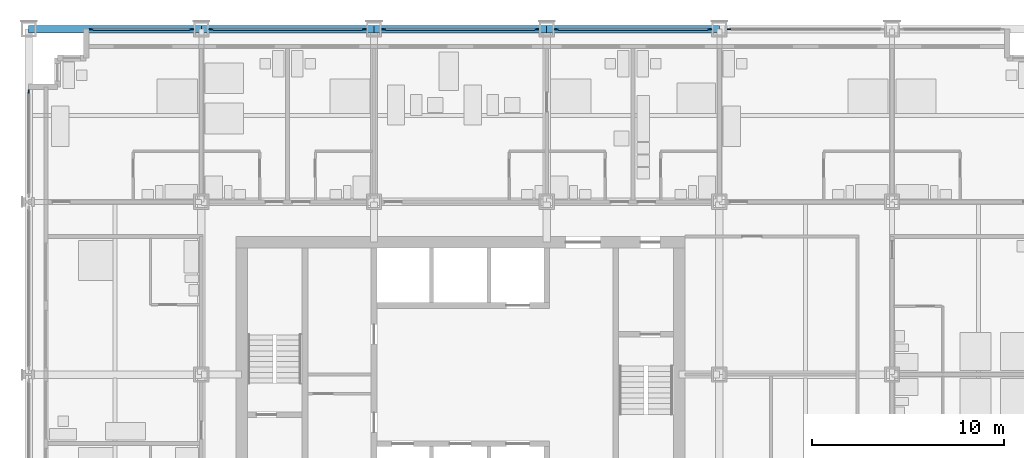
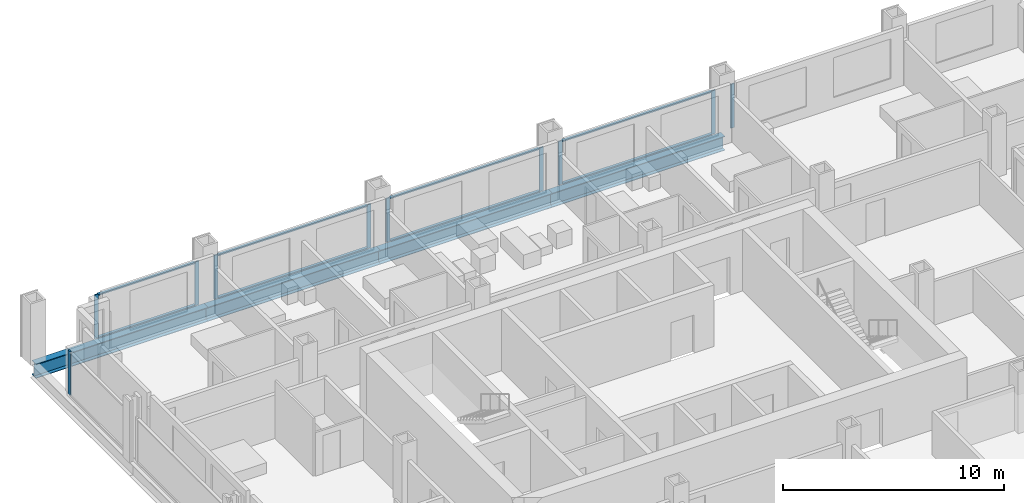
# One storey, part 7 of 18: 18 members, 4 beams, 6 elements without a shape of their own.
"""IFC4 building model written with IfcOpenShell, lengths in metres."""

from ifc_helpers import new_model, si_unit, direction, frame, origin, origin_2d, place, context, subcontext, project, spatial, rectangle, i_section, extrude, material, material_profile, profile_set, type_object, element, aggregate, save


model = new_model("IFC4")

# Units and contexts
model_context = context("Model", 3, precision=1e-05, world=origin(), true_north=direction((0.0, 1.0)))
body_context = subcontext(model_context, "Body", "Model", "MODEL_VIEW")
ifc_project = project(units=[si_unit("LENGTHUNIT", "METRE"), si_unit("AREAUNIT", "SQUARE_METRE"), si_unit("VOLUMEUNIT", "CUBIC_METRE"), si_unit("PLANEANGLEUNIT", "RADIAN"), si_unit("MASSUNIT", "GRAM", prefix="KILO")], contexts=[model_context])

# Site, building, storey
site_placement = place(None, origin())
site = spatial("IfcSite", under=ifc_project, at=site_placement, CompositionType="ELEMENT")
building_placement = place(site_placement, origin())
building = spatial("IfcBuilding", under=site, at=building_placement, Name="Loomwork Tower", CompositionType="ELEMENT")
storey_placement = place(building_placement, frame((0.0, 0.0, 31.39990234375)))
storey = spatial("IfcBuildingStorey", under=building, at=storey_placement, Name="L06", CompositionType="ELEMENT", Elevation=31.39990234375)

# Curtain wall, members
ifc_material_1 = material(Name="Aluminium curtain wall frame", Category="aluminium")
curtain_wall_type = type_object("IfcCurtainWallType", Name="Outer skin glazing hotel", PredefinedType="NOTDEFINED", material=ifc_material_1)
curtain_wall_1_placement = place(storey_placement, origin())
curtain_wall_1 = element("IfcCurtainWall", 1, at=curtain_wall_1_placement, inside=storey, type_object=curtain_wall_type, Name="Outer skin glazing hotel cw/N-0", PredefinedType="NOTDEFINED")
ifc_material_2 = material(Name="Aluminium curtain wall frame", Category="aluminium")
ifc_material_profile_1 = material_profile(ifc_material_2, rectangle(XDim=0.06494140625, YDim=0.199951171875, at=origin_2d()), Name="AL 65x200")
ifc_profile_set_1 = profile_set([ifc_material_profile_1], Name="Aluminium curtain wall frame")
member_type_1 = type_object("IfcMemberType", Name="Outer skin glazing hotel mullion", PredefinedType="MULLION", material=ifc_profile_set_1)
member_1_placement = place(storey_placement, frame((8.5, 36.0, 0.0), z_axis=(0.0, 0.0, 1.0), x_axis=(0.0, -1.0, 0.0)))
member_1 = element("IfcMember", 2, at=member_1_placement, type_object=member_type_1, Name="CW1 mullion 1", PredefinedType="MULLION", context=body_context, shape_type="SweptSolid", body=[
    extrude(rectangle(XDim=0.06494140625, YDim=0.199951171875, at=origin_2d()), origin(), (0.0, 0.0, 1.0), 2.42041015625),
])
member_2_placement = place(storey_placement, frame((3.25, 36.0, 0.0), z_axis=(0.0, 0.0, 1.0), x_axis=(0.0, -1.0, 0.0)))
member_2 = element("IfcMember", 3, at=member_2_placement, type_object=member_type_1, Name="CW1 mullion 2", PredefinedType="MULLION", context=body_context, shape_type="SweptSolid", body=[
    extrude(rectangle(XDim=0.06494140625, YDim=0.199951171875, at=origin_2d()), origin(), (0.0, 0.0, 1.0), 2.42041015625),
])

curtain_wall_2_placement = place(storey_placement, origin())
curtain_wall_2 = element("IfcCurtainWall", 4, at=curtain_wall_2_placement, inside=storey, type_object=curtain_wall_type, Name="Outer skin glazing hotel cw/N-9", PredefinedType="NOTDEFINED")
member_3_placement = place(storey_placement, frame((17.5, 36.0, 0.0), z_axis=(0.0, 0.0, 1.0), x_axis=(0.0, -1.0, 0.0)))
member_3 = element("IfcMember", 5, at=member_3_placement, type_object=member_type_1, Name="CW1 mullion 1", PredefinedType="MULLION", context=body_context, shape_type="SweptSolid", body=[
    extrude(rectangle(XDim=0.06494140625, YDim=0.199951171875, at=origin_2d()), origin(), (0.0, 0.0, 1.0), 2.42041015625),
])
member_4_placement = place(storey_placement, frame((9.5, 36.0, 0.0), z_axis=(0.0, 0.0, 1.0), x_axis=(0.0, -1.0, 0.0)))
member_4 = element("IfcMember", 6, at=member_4_placement, type_object=member_type_1, Name="CW1 mullion 2", PredefinedType="MULLION", context=body_context, shape_type="SweptSolid", body=[
    extrude(rectangle(XDim=0.06494140625, YDim=0.199951171875, at=origin_2d()), origin(), (0.0, 0.0, 1.0), 2.42041015625),
])

curtain_wall_3_placement = place(storey_placement, origin())
curtain_wall_3 = element("IfcCurtainWall", 7, at=curtain_wall_3_placement, inside=storey, type_object=curtain_wall_type, Name="Outer skin glazing hotel cw/N-18", PredefinedType="NOTDEFINED")
member_5_placement = place(storey_placement, frame((26.5, 36.0, 0.0), z_axis=(0.0, 0.0, 1.0), x_axis=(0.0, -1.0, 0.0)))
member_5 = element("IfcMember", 8, at=member_5_placement, type_object=member_type_1, Name="CW1 mullion 1", PredefinedType="MULLION", context=body_context, shape_type="SweptSolid", body=[
    extrude(rectangle(XDim=0.06494140625, YDim=0.199951171875, at=origin_2d()), origin(), (0.0, 0.0, 1.0), 2.42041015625),
])
member_6_placement = place(storey_placement, frame((18.5, 36.0, 0.0), z_axis=(0.0, 0.0, 1.0), x_axis=(0.0, -1.0, 0.0)))
member_6 = element("IfcMember", 9, at=member_6_placement, type_object=member_type_1, Name="CW1 mullion 2", PredefinedType="MULLION", context=body_context, shape_type="SweptSolid", body=[
    extrude(rectangle(XDim=0.06494140625, YDim=0.199951171875, at=origin_2d()), origin(), (0.0, 0.0, 1.0), 2.42041015625),
])

curtain_wall_4_placement = place(storey_placement, origin())
curtain_wall_4 = element("IfcCurtainWall", 10, at=curtain_wall_4_placement, inside=storey, type_object=curtain_wall_type, Name="Outer skin glazing hotel cw/N-27", PredefinedType="NOTDEFINED")
member_7_placement = place(storey_placement, frame((35.5, 36.0, 0.0), z_axis=(0.0, 0.0, 1.0), x_axis=(0.0, -1.0, 0.0)))
member_7 = element("IfcMember", 11, at=member_7_placement, type_object=member_type_1, Name="CW1 mullion 1", PredefinedType="MULLION", context=body_context, shape_type="SweptSolid", body=[
    extrude(rectangle(XDim=0.06494140625, YDim=0.199951171875, at=origin_2d()), origin(), (0.0, 0.0, 1.0), 2.42041015625),
])
member_8_placement = place(storey_placement, frame((27.5, 36.0, 0.0), z_axis=(0.0, 0.0, 1.0), x_axis=(0.0, -1.0, 0.0)))
member_8 = element("IfcMember", 12, at=member_8_placement, type_object=member_type_1, Name="CW1 mullion 2", PredefinedType="MULLION", context=body_context, shape_type="SweptSolid", body=[
    extrude(rectangle(XDim=0.06494140625, YDim=0.199951171875, at=origin_2d()), origin(), (0.0, 0.0, 1.0), 2.42041015625),
])

# Curtain wall, member
curtain_wall_5_placement = place(storey_placement, origin())
curtain_wall_5 = element("IfcCurtainWall", 13, at=curtain_wall_5_placement, inside=storey, type_object=curtain_wall_type, Name="Outer skin glazing hotel cw/N-36", PredefinedType="NOTDEFINED")
member_9_placement = place(storey_placement, frame((36.5, 36.0, 0.0), z_axis=(0.0, 0.0, 1.0), x_axis=(0.0, -1.0, 0.0)))
member_9 = element("IfcMember", 14, at=member_9_placement, type_object=member_type_1, Name="CW1 mullion 2", PredefinedType="MULLION", context=body_context, shape_type="SweptSolid", body=[
    extrude(rectangle(XDim=0.06494140625, YDim=0.199951171875, at=origin_2d()), origin(), (0.0, 0.0, 1.0), 2.42041015625),
])
aggregate(curtain_wall_5, [member_9])

curtain_wall_6_placement = place(storey_placement, origin())
curtain_wall_6 = element("IfcCurtainWall", 15, at=curtain_wall_6_placement, inside=storey, type_object=curtain_wall_type, Name="Outer skin glazing hotel cw/W-27", PredefinedType="NOTDEFINED")
member_10_placement = place(storey_placement, frame((0.0, 32.75, 0.0), z_axis=(0.0, 0.0, 1.0), x_axis=(1.0, 0.0, 0.0)))
member_10 = element("IfcMember", 16, at=member_10_placement, type_object=member_type_1, Name="CW1 mullion 1", PredefinedType="MULLION", context=body_context, shape_type="SweptSolid", body=[
    extrude(rectangle(XDim=0.06494140625, YDim=0.199951171875, at=origin_2d()), origin(), (0.0, 0.0, 1.0), 2.42041015625),
])
aggregate(curtain_wall_6, [member_10])

# Member
ifc_material_3 = material(Name="Aluminium curtain wall frame", Category="aluminium")
ifc_material_profile_2 = material_profile(ifc_material_3, rectangle(XDim=0.14990234375, YDim=0.06494140625, at=origin_2d()), Name="AL 65x150")
ifc_profile_set_2 = profile_set([ifc_material_profile_2], Name="Aluminium curtain wall frame")
member_type_2 = type_object("IfcMemberType", Name="Outer skin glazing hotel transom", PredefinedType="USERDEFINED", material=ifc_profile_set_2)
member_11_placement = place(storey_placement, frame((8.39990234375, 36.0, 0.03271484375), z_axis=(-1.0, 0.0, 0.0), x_axis=(0.0, -1.0, 0.0)))
member_11 = element("IfcMember", 17, at=member_11_placement, type_object=member_type_2, Name="CW1 transom 1.1", ObjectType="TRANSOM", PredefinedType="USERDEFINED", context=body_context, shape_type="SweptSolid", body=[
    extrude(rectangle(XDim=0.14990234375, YDim=0.06494140625, at=origin_2d()), origin(), (0.0, 0.0, 1.0), 5.0498046875),
])

member_12_placement = place(storey_placement, frame((8.39990234375, 36.0, 2.3876953125), z_axis=(-1.0, 0.0, 0.0), x_axis=(0.0, -1.0, 0.0)))
member_12 = element("IfcMember", 18, at=member_12_placement, type_object=member_type_2, Name="CW1 transom 1.2", ObjectType="TRANSOM", PredefinedType="USERDEFINED", context=body_context, shape_type="SweptSolid", body=[
    extrude(rectangle(XDim=0.14990234375, YDim=0.06494140625, at=origin_2d()), origin(), (0.0, 0.0, 1.0), 5.0498046875),
])

aggregate(curtain_wall_1, [member_1, member_2, member_11, member_12])

member_13_placement = place(storey_placement, frame((17.39990234375, 36.0, 0.03271484375), z_axis=(-1.0, 0.0, 0.0), x_axis=(0.0, -1.0, 0.0)))
member_13 = element("IfcMember", 19, at=member_13_placement, type_object=member_type_2, Name="CW1 transom 1.1", ObjectType="TRANSOM", PredefinedType="USERDEFINED", context=body_context, shape_type="SweptSolid", body=[
    extrude(rectangle(XDim=0.14990234375, YDim=0.06494140625, at=origin_2d()), origin(), (0.0, 0.0, 1.0), 7.7998046875),
])

member_14_placement = place(storey_placement, frame((17.39990234375, 36.0, 2.3876953125), z_axis=(-1.0, 0.0, 0.0), x_axis=(0.0, -1.0, 0.0)))
member_14 = element("IfcMember", 20, at=member_14_placement, type_object=member_type_2, Name="CW1 transom 1.2", ObjectType="TRANSOM", PredefinedType="USERDEFINED", context=body_context, shape_type="SweptSolid", body=[
    extrude(rectangle(XDim=0.14990234375, YDim=0.06494140625, at=origin_2d()), origin(), (0.0, 0.0, 1.0), 7.7998046875),
])

aggregate(curtain_wall_2, [member_3, member_4, member_13, member_14])

member_15_placement = place(storey_placement, frame((26.39990234375, 36.0, 0.03271484375), z_axis=(-1.0, 0.0, 0.0), x_axis=(0.0, -1.0, 0.0)))
member_15 = element("IfcMember", 21, at=member_15_placement, type_object=member_type_2, Name="CW1 transom 1.1", ObjectType="TRANSOM", PredefinedType="USERDEFINED", context=body_context, shape_type="SweptSolid", body=[
    extrude(rectangle(XDim=0.14990234375, YDim=0.06494140625, at=origin_2d()), origin(), (0.0, 0.0, 1.0), 7.7998046875),
])

member_16_placement = place(storey_placement, frame((26.39990234375, 36.0, 2.3876953125), z_axis=(-1.0, 0.0, 0.0), x_axis=(0.0, -1.0, 0.0)))
member_16 = element("IfcMember", 22, at=member_16_placement, type_object=member_type_2, Name="CW1 transom 1.2", ObjectType="TRANSOM", PredefinedType="USERDEFINED", context=body_context, shape_type="SweptSolid", body=[
    extrude(rectangle(XDim=0.14990234375, YDim=0.06494140625, at=origin_2d()), origin(), (0.0, 0.0, 1.0), 7.7998046875),
])

aggregate(curtain_wall_3, [member_5, member_6, member_15, member_16])

member_17_placement = place(storey_placement, frame((35.39990234375, 36.0, 0.03271484375), z_axis=(-1.0, 0.0, 0.0), x_axis=(0.0, -1.0, 0.0)))
member_17 = element("IfcMember", 23, at=member_17_placement, type_object=member_type_2, Name="CW1 transom 1.1", ObjectType="TRANSOM", PredefinedType="USERDEFINED", context=body_context, shape_type="SweptSolid", body=[
    extrude(rectangle(XDim=0.14990234375, YDim=0.06494140625, at=origin_2d()), origin(), (0.0, 0.0, 1.0), 7.7998046875),
])

member_18_placement = place(storey_placement, frame((35.39990234375, 36.0, 2.3876953125), z_axis=(-1.0, 0.0, 0.0), x_axis=(0.0, -1.0, 0.0)))
member_18 = element("IfcMember", 24, at=member_18_placement, type_object=member_type_2, Name="CW1 transom 1.2", ObjectType="TRANSOM", PredefinedType="USERDEFINED", context=body_context, shape_type="SweptSolid", body=[
    extrude(rectangle(XDim=0.14990234375, YDim=0.06494140625, at=origin_2d()), origin(), (0.0, 0.0, 1.0), 7.7998046875),
])

aggregate(curtain_wall_4, [member_7, member_8, member_17, member_18])

# Beams
ifc_material_4 = material(Name="Steel ASTM A992", Category="steel")
ifc_material_profile_3 = material_profile(ifc_material_4, i_section(OverallWidth=0.381103515625, OverallDepth=0.77978515625, WebThickness=0.01806640625, FlangeThickness=0.0302734375, at=origin_2d()), Name="W30x191")
ifc_profile_set_3 = profile_set([ifc_material_profile_3], Name="Steel ASTM A992")
beam_type = type_object("IfcBeamType", Name="SPANDREL GIRDER W30x191", PredefinedType="SPANDREL", material=ifc_profile_set_3)
for number, where, z_axis, x_axis, name in (
    (25, (0.0, 36.0, -0.58984375), (1.0, 0.0, 0.0), (0.0, 1.0, 0.0), "Spandrel Girder H/2-H/3 L06"),
    (26, (9.0, 36.0, -0.58984375), (1.0, 0.0, 0.0), (0.0, 1.0, 0.0), "Spandrel Girder H/3-H/4 L06"),
    (27, (18.0, 36.0, -0.58984375), (1.0, 0.0, 0.0), (0.0, 1.0, 0.0), "Spandrel Girder H/4-H/5 L06"),
    (28, (27.0, 36.0, -0.58984375), (1.0, 0.0, 0.0), (0.0, 1.0, 0.0), "Spandrel Girder H/5-H/6 L06"),
):
    element("IfcBeam", number, at=place(storey_placement, frame(where, z_axis=z_axis, x_axis=x_axis)), inside=storey, type_object=beam_type, Name=name, PredefinedType="SPANDREL", context=body_context, shape_type="SweptSolid", body=[
        extrude(i_section(OverallWidth=0.381103515625, OverallDepth=0.77978515625, WebThickness=0.01806640625, FlangeThickness=0.0302734375, at=origin_2d()), origin(), (0.0, 0.0, 1.0), 9.0),
    ])

save(model, "model.ifc")
